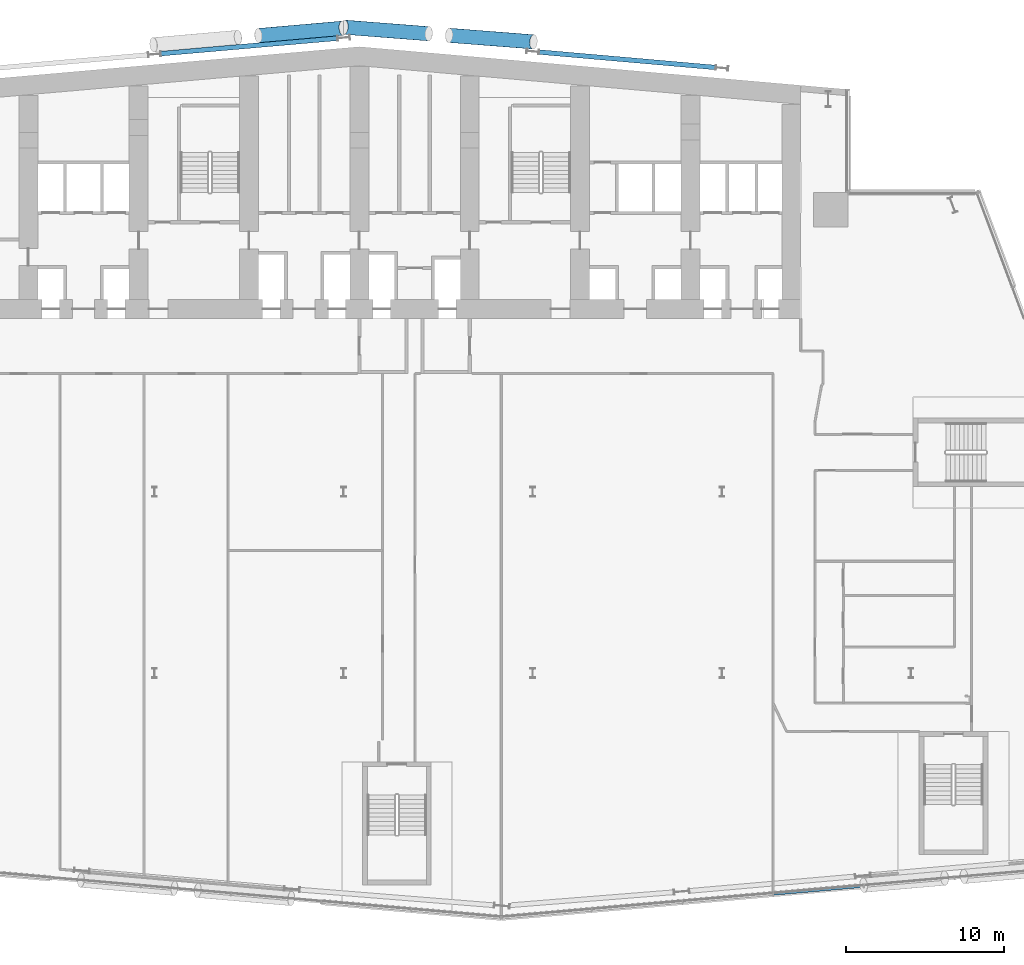
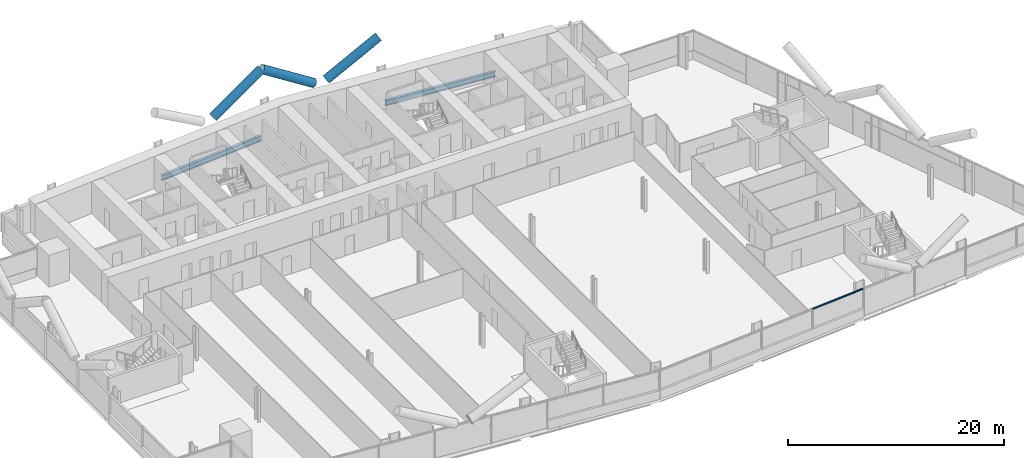
# One storey, part 8 of 25: 4 members, 2 beams, 1 element without a shape of its own.
"""IFC4 building model written with IfcOpenShell, lengths in metres."""

from ifc_helpers import new_model, si_unit, direction, frame, origin, origin_2d, place, context, subcontext, project, spatial, rectangle, hollow_circle, i_section, extrude, material, material_profile, profile_set, type_object, element, aggregate, save


model = new_model("IFC4")

# Units and contexts
model_context = context("Model", 3, precision=1e-05, world=origin(), true_north=direction((0.0, 1.0)))
body_context = subcontext(model_context, "Body", "Model", "MODEL_VIEW")
ifc_project = project(units=[si_unit("LENGTHUNIT", "METRE"), si_unit("AREAUNIT", "SQUARE_METRE"), si_unit("VOLUMEUNIT", "CUBIC_METRE"), si_unit("PLANEANGLEUNIT", "RADIAN"), si_unit("MASSUNIT", "GRAM", prefix="KILO")], contexts=[model_context])

# Site, building, storey
site_placement = place(None, origin())
site = spatial("IfcSite", under=ifc_project, at=site_placement, CompositionType="ELEMENT")
building_placement = place(site_placement, origin())
building = spatial("IfcBuilding", under=site, at=building_placement, Name="Wharfspan Tower", CompositionType="ELEMENT")
storey_placement = place(building_placement, frame((0.0, 0.0, 63.100098)))
storey = spatial("IfcBuildingStorey", under=building, at=storey_placement, Name="L12", CompositionType="ELEMENT", Elevation=63.100098)

# Beams
ifc_material_1 = material(Name="Steel S355J2", Category="steel")
ifc_material_profile_1 = material_profile(ifc_material_1, i_section(OverallWidth=0.300049, OverallDepth=0.600098, WebThickness=0.015381, FlangeThickness=0.030029, FilletRadius=0.0271, at=origin_2d()))
ifc_profile_set_1 = profile_set([ifc_material_profile_1], Name="Steel S355J2")
beam_type = type_object("IfcBeamType", Name="Edge beam HEB 600", PredefinedType="SPANDREL", material=ifc_profile_set_1)
for number, where, z_axis, x_axis, name in (
    (1, (59.598633, 49.919922, -0.700195), (-0.996194, 0.087165, 0.0), (-0.087165, -0.996194, 0.0), "Edge beam N2 L12 R.5 to R.4"),
    (2, (35.598633, 51.774414, -0.700195), (-0.996196, -0.087143, 0.0), (0.087143, -0.996196, 0.0), "Edge beam N1 L12 R.3 to R.2"),
):
    element("IfcBeam", number, at=place(storey_placement, frame(where, z_axis=z_axis, x_axis=x_axis)), inside=storey, type_object=beam_type, Name=name, PredefinedType="SPANDREL", context=body_context, shape_type="SweptSolid", body=[
        extrude(i_section(OverallWidth=0.300049, OverallDepth=0.600098, WebThickness=0.015381, FlangeThickness=0.030029, FilletRadius=0.0271, at=origin_2d()), origin(), (0.0, 0.0, 1.0), 11.23999),
    ])

# Members
ifc_material_2 = material(Name="Steel S460NH", Category="steel")
ifc_material_profile_2 = material_profile(ifc_material_2, hollow_circle(Radius=0.457031, WallThickness=0.040039, at=origin_2d()))
ifc_profile_set_2 = profile_set([ifc_material_profile_2], Name="Steel S460NH")
member_type_1 = type_object("IfcMemberType", Name="Mega brace CHS 914x40", PredefinedType="BRACE", material=ifc_profile_set_2)
member_1_placement = place(storey_placement, frame((30.597656, 51.944824, 3.290283), z_axis=(0.855094, 0.074809, 0.513048), x_axis=(-0.087154, 0.996195, 1e-06)))
element("IfcMember", 3, at=member_1_placement, inside=storey, type_object=member_type_1, Name="Mega brace N7 L12 part 2", PredefinedType="BRACE", context=body_context, shape_type="SweptSolid", body=[
    extrude(hollow_circle(Radius=0.457031, WallThickness=0.040039, at=origin_2d()), origin(), (0.0, 0.0, 1.0), 6.256104),
])
for number, where, z_axis, x_axis, name in (
    (4, (42.696533, 51.959961, 3.290039), (0.85551, -0.066472, 0.513501), (0.077467, 0.996995, -3e-06), "Mega brace N8 L12 part 2"),
    (5, (41.396484, 52.060791, 3.290039), (-0.85551, 0.066472, 0.513501), (-0.077467, -0.996995, -3e-06), "Mega brace N8 L12 part 4"),
):
    element("IfcMember", number, at=place(storey_placement, frame(where, z_axis=z_axis, x_axis=x_axis)), inside=storey, type_object=member_type_1, Name=name, PredefinedType="BRACE", context=body_context, shape_type="SweptSolid", body=[
        extrude(hollow_circle(Radius=0.457031, WallThickness=0.040039, at=origin_2d()), origin(), (0.0, 0.0, 1.0), 6.251221),
    ])

# Curtain wall, member
ifc_material_3 = material(Name="Aluminium 6063-T6", Category="aluminium")
curtain_wall_type = type_object("IfcCurtainWallType", Name="CURTAIN WALL FACETED FRONT", PredefinedType="NOTDEFINED", material=ifc_material_3)
curtain_wall_placement = place(storey_placement, origin())
curtain_wall = element("IfcCurtainWall", 6, at=curtain_wall_placement, inside=storey, type_object=curtain_wall_type, Name="Curtain wall S2", PredefinedType="NOTDEFINED")
ifc_material_profile_3 = material_profile(ifc_material_3, rectangle(XDim=0.159912, YDim=0.080078, at=origin_2d()))
ifc_profile_set_3 = profile_set([ifc_material_profile_3], Name="Aluminium 6063-T6")
member_type_2 = type_object("IfcMemberType", Name="TRANSOM FACETED FRONT 80x160", PredefinedType="USERDEFINED", material=ifc_profile_set_3)
member_2_placement = place(storey_placement, frame((63.279785, -2.512695, 3.159912), z_axis=(0.996195, 0.087148, 0.0), x_axis=(-0.087148, 0.996195, 0.0)))
member_2 = element("IfcMember", 7, at=member_2_placement, type_object=member_type_2, Name="Curtain wall S2 transom 4", ObjectType="TRANSOM", PredefinedType="USERDEFINED", context=body_context, shape_type="SweptSolid", body=[
    extrude(rectangle(XDim=0.159912, YDim=0.080078, at=origin_2d()), origin(), (0.0, 0.0, 1.0), 5.712158),
])
aggregate(curtain_wall, [member_2])

save(model, "model.ifc")
